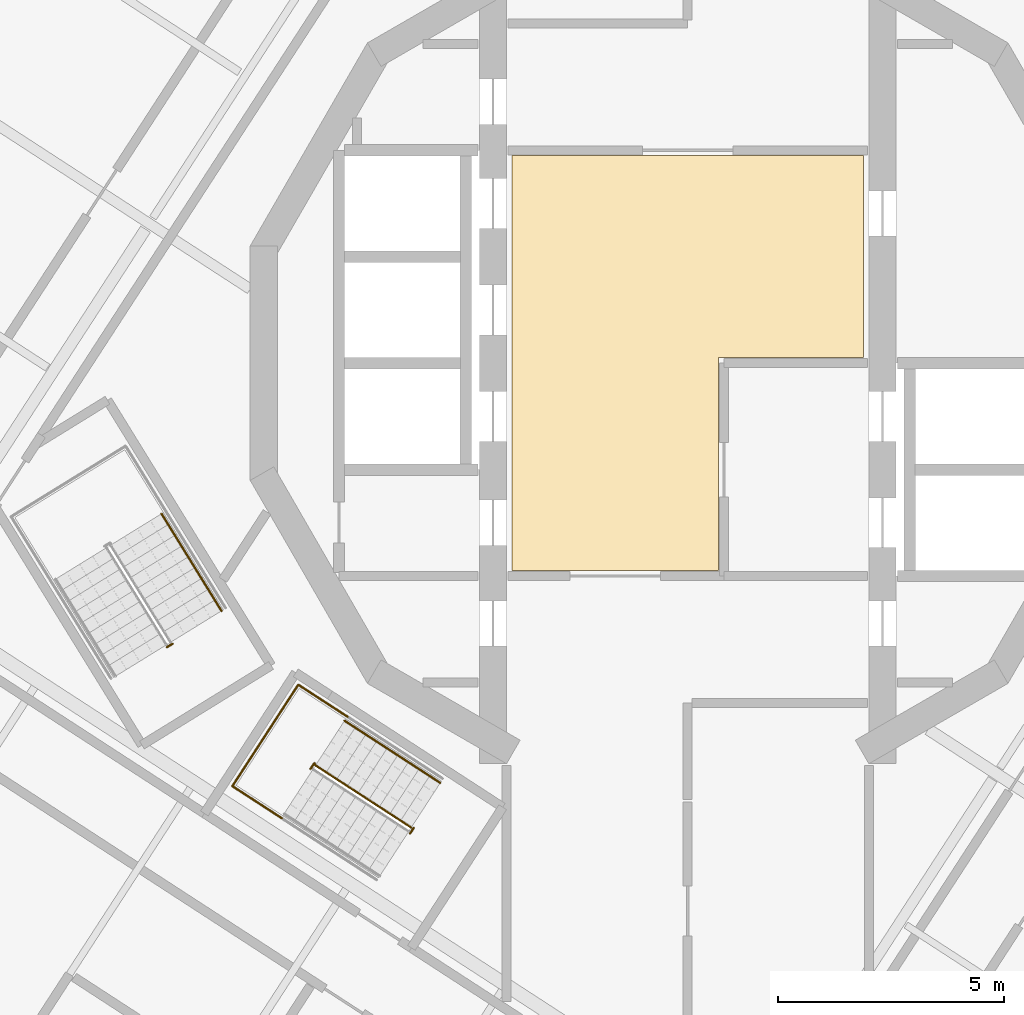
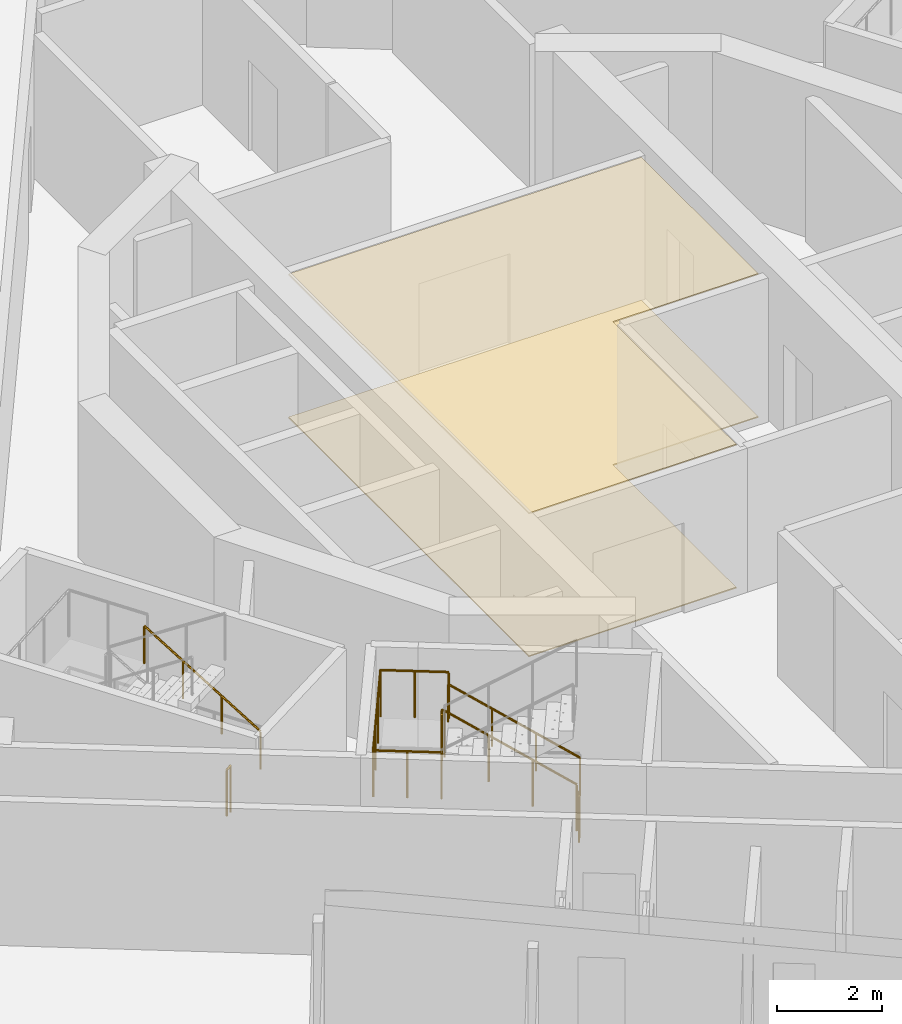
# One storey, part 14 of 17: 6 railings, 2 coverings.
"""IFC4 building model written with IfcOpenShell, lengths in metres."""

from ifc_helpers import new_model, si_unit, direction, frame, origin, origin_2d, place, context, subcontext, project, spatial, polyline, circle, outline, extrude, material, layer, layer_set, type_object, element, save


model = new_model("IFC4")

# Units and contexts
model_context = context("Model", 3, precision=1e-05, world=origin(), true_north=direction((0.0, 1.0)))
body_context = subcontext(model_context, "Body", "Model", "MODEL_VIEW")
ifc_project = project(units=[si_unit("LENGTHUNIT", "METRE"), si_unit("AREAUNIT", "SQUARE_METRE"), si_unit("VOLUMEUNIT", "CUBIC_METRE"), si_unit("PLANEANGLEUNIT", "RADIAN"), si_unit("MASSUNIT", "GRAM", prefix="KILO")], contexts=[model_context])

# Site, building, storey
site_placement = place(None, origin())
site = spatial("IfcSite", under=ifc_project, at=site_placement, CompositionType="ELEMENT")
building_placement = place(site_placement, origin())
building = spatial("IfcBuilding", under=site, at=building_placement, Name="Cantera Rosa Tower", CompositionType="ELEMENT")
storey_placement = place(building_placement, frame((0.0, 0.0, 275.699951171875)))
storey = spatial("IfcBuildingStorey", under=building, at=storey_placement, Name="L62", CompositionType="ELEMENT", Elevation=275.699951171875)

# Railings
ifc_material_1 = material(Name="Steel S355J2 (EN 10025-2)", Category="steel")
railing_type_1 = type_object("IfcRailingType", Name="STAIR GUARD 1100", PredefinedType="GUARDRAIL", material=ifc_material_1)
railing_1_placement = place(storey_placement, frame((-11.375, -6.19482421875, 0.0)))
element("IfcRailing", 1, at=railing_1_placement, inside=storey, type_object=railing_type_1, Name="L62 ST-52 stair guard 3", PredefinedType="GUARDRAIL", context=body_context, shape_type="SweptSolid", body=[
    extrude(circle(Radius=0.02392578125, at=origin_2d()), frame((0.0, 0.0, 1.076171875), z_axis=(-0.851546489876, -0.524279100842, 0.0), x_axis=(0.524279100842, -0.851546489876, 0.0)), (0.0, 0.0, 1.0), 0.14990234375),
    extrude(circle(Radius=0.02099609375, at=origin_2d()), origin(), (0.0, 0.0, 1.0), 1.052001953125),
    extrude(circle(Radius=0.02099609375, at=origin_2d()), frame((-0.127685546875, -0.07861328125, 0.0)), (0.0, 0.0, 1.0), 1.052001953125),
])
railing_2_placement = place(storey_placement, frame((-6.10400390625, -10.25341796875, 0.179931640625)))
element("IfcRailing", 2, at=railing_2_placement, inside=storey, type_object=railing_type_1, Name="L62 ST-53 stair guard 1", PredefinedType="GUARDRAIL", context=body_context, shape_type="SweptSolid", body=[
    extrude(circle(Radius=0.02392578125, at=origin_2d()), frame((0.0, 0.0, 1.076171875), z_axis=(-0.705462015847, 0.458138784, 0.540770005448), x_axis=(-0.544644381691, -0.838667095749, 0.0)), (0.0, 0.0, 1.0), 2.995849609375),
    extrude(circle(Radius=0.02392578125, at=origin_2d()), frame((-2.113525390625, 1.37255859375, 2.6962890625), z_axis=(-0.49005532576, 0.871691331662, 0.0), x_axis=(-0.871691331662, -0.49005532576, 0.0)), (0.0, 0.0, 1.0), 0.056396484375),
    extrude(circle(Radius=0.02392578125, at=origin_2d()), frame((-2.14111328125, 1.421630859375, 2.6962890625), z_axis=(-0.545274379459, -0.838257628123, 0.0), x_axis=(0.838257628123, -0.545274379459, 0.0)), (0.0, 0.0, 1.0), 0.14990234375),
    extrude(circle(Radius=0.02099609375, at=origin_2d()), origin(), (0.0, 0.0, 1.0), 1.052001953125),
    extrude(circle(Radius=0.02099609375, at=origin_2d()), frame((-0.70458984375, 0.45751953125, 0.5400390625)), (0.0, 0.0, 1.0), 1.052001953125),
    extrude(circle(Radius=0.02099609375, at=origin_2d()), frame((-1.408935546875, 0.9150390625, 1.080078125)), (0.0, 0.0, 1.0), 1.052001953125),
    extrude(circle(Radius=0.02099609375, at=origin_2d()), frame((-2.113525390625, 1.37255859375, 1.6201171875)), (0.0, 0.0, 1.0), 1.052001953125),
    extrude(circle(Radius=0.02099609375, at=origin_2d()), frame((-2.14111328125, 1.421630859375, 1.6201171875)), (0.0, 0.0, 1.0), 1.052001953125),
    extrude(circle(Radius=0.02099609375, at=origin_2d()), frame((-2.222900390625, 1.2958984375, 1.6201171875)), (0.0, 0.0, 1.0), 1.052001953125),
])
railing_3_placement = place(storey_placement, frame((-6.0478515625, -10.2587890625, 0.0)))
element("IfcRailing", 3, at=railing_3_placement, inside=storey, type_object=railing_type_1, Name="L62 ST-53 stair guard 3", PredefinedType="GUARDRAIL", context=body_context, shape_type="SweptSolid", body=[
    extrude(circle(Radius=0.02392578125, at=origin_2d()), frame((0.0, 0.0, 1.076171875), z_axis=(-0.545274379459, -0.838257628123, 0.0), x_axis=(0.838257628123, -0.545274379459, 0.0)), (0.0, 0.0, 1.0), 0.14990234375),
    extrude(circle(Radius=0.02099609375, at=origin_2d()), origin(), (0.0, 0.0, 1.0), 1.052001953125),
    extrude(circle(Radius=0.02099609375, at=origin_2d()), frame((-0.081787109375, -0.125732421875, 0.0)), (0.0, 0.0, 1.0), 1.052001953125),
])
railing_4_placement = place(storey_placement, frame((-7.507080078125, -7.808837890625, 1.800048828125)))
element("IfcRailing", 4, at=railing_4_placement, inside=storey, type_object=railing_type_1, Name="L62 ST-53 stair guard 5", PredefinedType="GUARDRAIL", context=body_context, shape_type="SweptSolid", body=[
    extrude(circle(Radius=0.02392578125, at=origin_2d()), frame((0.0, 0.0, 1.076171875), z_axis=(-0.838597818641, 0.544751042744, 0.0), x_axis=(-0.544751042744, -0.838597818641, 0.0)), (0.0, 0.0, 1.0), 1.302001953125),
    extrude(circle(Radius=0.02392578125, at=origin_2d()), frame((-1.091796875, 0.709228515625, 1.076171875), z_axis=(-0.544679779991, -0.838644106442, 0.0), x_axis=(0.838644106442, -0.544679779991, 0.0)), (0.0, 0.0, 1.0), 2.670166015625),
    extrude(circle(Radius=0.02392578125, at=origin_2d()), frame((-2.546142578125, -1.530029296875, 1.076171875), z_axis=(0.838653453326, -0.544665388311, 0.0), x_axis=(0.544665388311, 0.838653453326, 0.0)), (0.0, 0.0, 1.0), 1.30224609375),
    extrude(circle(Radius=0.02099609375, at=origin_2d()), origin(), (0.0, 0.0, 1.0), 1.052001953125),
    extrude(circle(Radius=0.02099609375, at=origin_2d()), frame((-0.5458984375, 0.3544921875, 0.0)), (0.0, 0.0, 1.0), 1.052001953125),
    extrude(circle(Radius=0.02099609375, at=origin_2d()), frame((-1.091796875, 0.709228515625, 0.0)), (0.0, 0.0, 1.0), 1.052001953125),
    extrude(circle(Radius=0.02099609375, at=origin_2d()), frame((-1.57666015625, -0.037109375, 0.0)), (0.0, 0.0, 1.0), 1.052001953125),
    extrude(circle(Radius=0.02099609375, at=origin_2d()), frame((-2.061279296875, -0.78369140625, 0.0)), (0.0, 0.0, 1.0), 1.052001953125),
    extrude(circle(Radius=0.02099609375, at=origin_2d()), frame((-2.546142578125, -1.530029296875, 0.0)), (0.0, 0.0, 1.0), 1.052001953125),
    extrude(circle(Radius=0.02099609375, at=origin_2d()), frame((-2.0, -1.884765625, 0.0)), (0.0, 0.0, 1.0), 1.052001953125),
    extrude(circle(Radius=0.02099609375, at=origin_2d()), frame((-1.4541015625, -2.2392578125, 0.0)), (0.0, 0.0, 1.0), 1.052001953125),
])
ifc_material_2 = material(Name="Steel S355J2 (EN 10025-2)", Category="steel")
railing_type_2 = type_object("IfcRailingType", Name="STAIR HANDRAIL 900", PredefinedType="HANDRAIL", material=ifc_material_2)
railing_5_placement = place(storey_placement, frame((-10.294677734375, -5.4697265625, 0.179931640625)))
element("IfcRailing", 5, at=railing_5_placement, inside=storey, type_object=railing_type_2, Name="L62 ST-52 stair handrail 1", PredefinedType="HANDRAIL", context=body_context, shape_type="SweptSolid", body=[
    extrude(circle(Radius=0.02392578125, at=origin_2d()), frame((0.0, 0.0, 0.8759765625), z_axis=(-0.441609067481, 0.715913574058, 0.540785711718), x_axis=(-0.851102330005, -0.524999832248, 0.0)), (0.0, 0.0, 1.0), 2.995849609375),
    extrude(circle(Radius=0.02099609375, at=origin_2d()), origin(), (0.0, 0.0, 1.0), 0.851806640625),
    extrude(circle(Radius=0.02099609375, at=origin_2d()), frame((-0.44091796875, 0.71484375, 0.5400390625)), (0.0, 0.0, 1.0), 0.851806640625),
    extrude(circle(Radius=0.02099609375, at=origin_2d()), frame((-0.882080078125, 1.429931640625, 1.080078125)), (0.0, 0.0, 1.0), 0.851806640625),
    extrude(circle(Radius=0.02099609375, at=origin_2d()), frame((-1.322998046875, 2.144775390625, 1.6201171875)), (0.0, 0.0, 1.0), 0.851806640625),
])
railing_6_placement = place(storey_placement, frame((-5.463623046875, -9.26708984375, 0.179931640625)))
element("IfcRailing", 6, at=railing_6_placement, inside=storey, type_object=railing_type_2, Name="L62 ST-53 stair handrail 1", PredefinedType="HANDRAIL", context=body_context, shape_type="SweptSolid", body=[
    extrude(circle(Radius=0.02392578125, at=origin_2d()), frame((0.0, 0.0, 0.8759765625), z_axis=(-0.705421077808, 0.458165122394, 0.540801094309), x_axis=(-0.544688635705, -0.838638354795, 0.0)), (0.0, 0.0, 1.0), 2.995849609375),
    extrude(circle(Radius=0.02099609375, at=origin_2d()), origin(), (0.0, 0.0, 1.0), 0.851806640625),
    extrude(circle(Radius=0.02099609375, at=origin_2d()), frame((-0.704345703125, 0.45751953125, 0.5400390625)), (0.0, 0.0, 1.0), 0.851806640625),
    extrude(circle(Radius=0.02099609375, at=origin_2d()), frame((-1.408935546875, 0.9150390625, 1.080078125)), (0.0, 0.0, 1.0), 0.851806640625),
    extrude(circle(Radius=0.02099609375, at=origin_2d()), frame((-2.11328125, 1.37255859375, 1.6201171875)), (0.0, 0.0, 1.0), 0.851806640625),
])

# Coverings
ifc_material_3 = material(Name="Limestone paving", Category="masonry")
ifc_layer_1 = layer(ifc_material_3, 0.02490234375)
ifc_layer_set_1 = layer_set([ifc_layer_1], Name="STONE FLOOR FINISH 25")
covering_type_1 = type_object("IfcCoveringType", Name="STONE FLOOR FINISH 25", PredefinedType="FLOORING", material=ifc_layer_set_1)
covering_1_placement = place(storey_placement, origin())
element("IfcCovering", 7, at=covering_1_placement, inside=storey, type_object=covering_type_1, Name="STONE FLOOR FINISH L62", PredefinedType="FLOORING", context=body_context, shape_type="SweptSolid", body=[
    extrude(outline(polyline([(3.8798828125, 4.580078125), (3.8798828125, 0.1201171875), (0.679931640625, 0.1201171875), (0.679931640625, -4.580078125), (-3.8798828125, -4.580078125), (-3.8798828125, 4.580078125), (3.8798828125, 4.580078125)])), origin(), (0.0, 0.0, 1.0), 0.025146484375),
])
ifc_material_4 = material(Name="Gypsum ceiling tile")
ifc_layer_2 = layer(ifc_material_4, 0.030029296875)
ifc_layer_set_2 = layer_set([ifc_layer_2], Name="SUSPENDED CEILING 30")
covering_type_2 = type_object("IfcCoveringType", Name="SUSPENDED CEILING 30", PredefinedType="CEILING", material=ifc_layer_set_2)
covering_2_placement = place(storey_placement, frame((0.0, 0.0, 3.320068359375)))
element("IfcCovering", 8, at=covering_2_placement, inside=storey, type_object=covering_type_2, Name="SUSPENDED CEILING L62", PredefinedType="CEILING", context=body_context, shape_type="SweptSolid", body=[
    extrude(outline(polyline([(3.8798828125, 4.580078125), (3.8798828125, 0.1201171875), (0.679931640625, 0.1201171875), (0.679931640625, -4.580078125), (-3.8798828125, -4.580078125), (-3.8798828125, 4.580078125), (3.8798828125, 4.580078125)])), origin(), (0.0, 0.0, 1.0), 0.030029296875),
])

save(model, "model.ifc")
